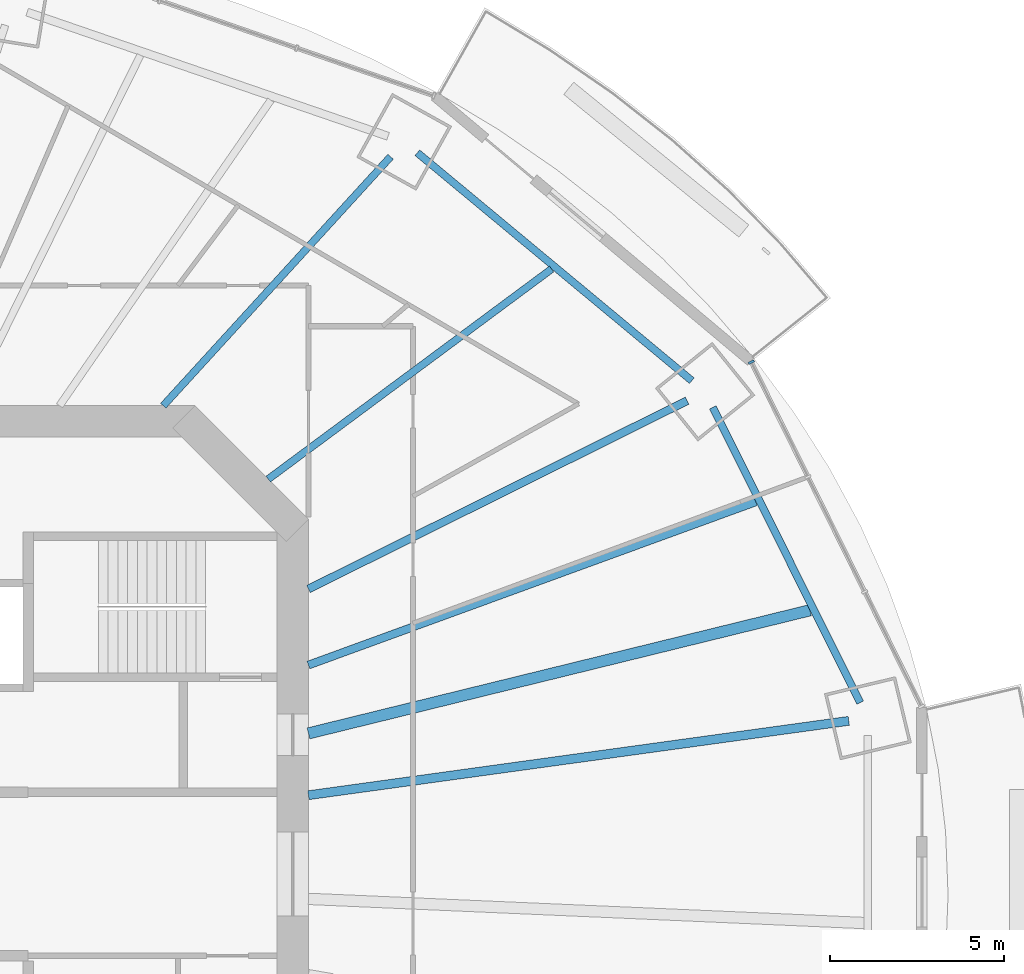
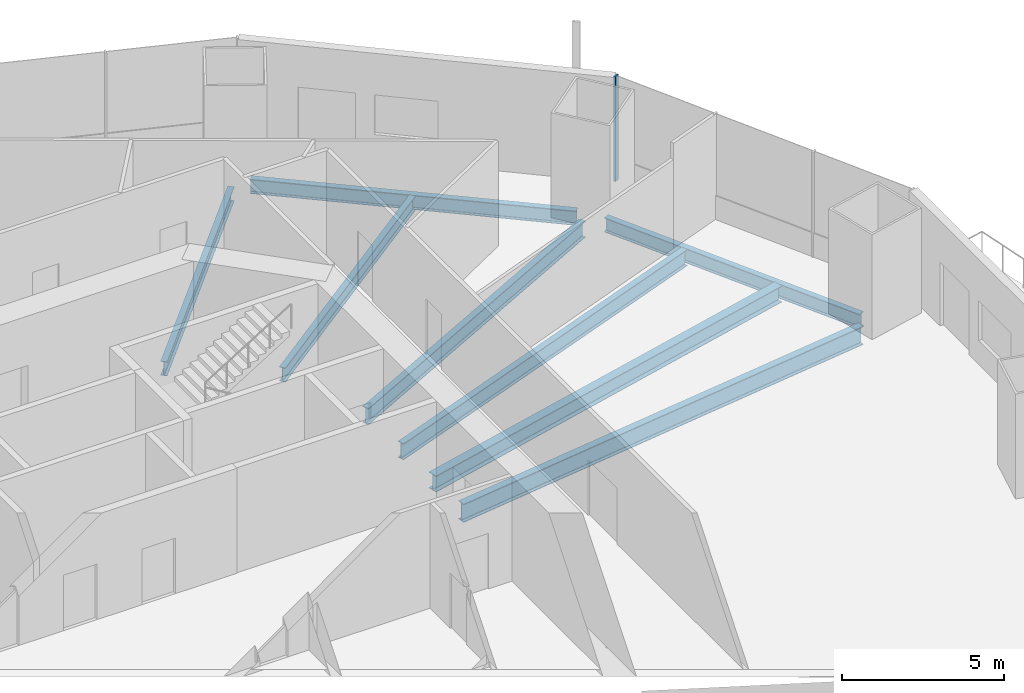
# One storey, part 8 of 21: 8 beams, 1 member, 1 element without a shape of its own.
"""IFC4 building model written with IfcOpenShell, lengths in metres."""

from ifc_helpers import new_model, si_unit, direction, frame, origin, origin_2d, place, context, subcontext, project, spatial, rectangle, i_section, extrude, material, material_profile, profile_set, type_object, element, aggregate, save


model = new_model("IFC4")

# Units and contexts
model_context = context("Model", 3, precision=1e-05, world=origin(), true_north=direction((0.0, 1.0)))
body_context = subcontext(model_context, "Body", "Model", "MODEL_VIEW")
ifc_project = project(units=[si_unit("LENGTHUNIT", "METRE"), si_unit("AREAUNIT", "SQUARE_METRE"), si_unit("VOLUMEUNIT", "CUBIC_METRE"), si_unit("PLANEANGLEUNIT", "RADIAN"), si_unit("MASSUNIT", "GRAM", prefix="KILO")], contexts=[model_context])

# Site, building, storey
site_placement = place(None, origin())
site = spatial("IfcSite", under=ifc_project, at=site_placement, CompositionType="ELEMENT")
building_placement = place(site_placement, origin())
building = spatial("IfcBuilding", under=site, at=building_placement, Name="Marenthal Gate Tower", CompositionType="ELEMENT")
storey_placement = place(building_placement, frame((0.0, 0.0, 169.35009765625)))
storey = spatial("IfcBuildingStorey", under=building, at=storey_placement, Name="L36", CompositionType="ELEMENT", Elevation=169.35009765625)

# Curtain wall, member
ifc_material_1 = material(Name="Aluminium and glass", Category="aluminium")
curtain_wall_type = type_object("IfcCurtainWallType", Name="Curtain wall typical mid", PredefinedType="NOTDEFINED", material=ifc_material_1)
curtain_wall_placement = place(storey_placement, origin())
curtain_wall = element("IfcCurtainWall", 1, at=curtain_wall_placement, inside=storey, type_object=curtain_wall_type, Name="Curtain wall L36 bay 1", PredefinedType="NOTDEFINED")
ifc_material_2 = material(Name="Aluminium", Category="aluminium")
ifc_material_profile_1 = material_profile(ifc_material_2, rectangle(XDim=0.179931640625, YDim=0.06005859375, at=origin_2d()), Name="60x180 aluminium mullion")
ifc_profile_set_1 = profile_set([ifc_material_profile_1], Name="Aluminium")
member_type = type_object("IfcMemberType", Name="Mullion 60x180 typical mid", PredefinedType="MULLION", material=ifc_profile_set_1)
member_placement = place(storey_placement, frame((29.167724609375, 14.702392578125, 0.0), z_axis=(0.0, 0.0, 1.0), x_axis=(-0.896608747182, -0.442823615536, 0.0)))
member = element("IfcMember", 2, at=member_placement, type_object=member_type, Name="Mullion L36 bay 1.4", PredefinedType="MULLION", context=body_context, shape_type="SweptSolid", body=[
    extrude(rectangle(XDim=0.179931640625, YDim=0.06005859375, at=origin_2d()), origin(), (0.0, 0.0, 1.0), 3.969970703125),
])
aggregate(curtain_wall, [member])

# Beams
ifc_material_3 = material(Name="Steel S355", Category="steel")
ifc_material_profile_2 = material_profile(ifc_material_3, i_section(OverallWidth=0.2099609375, OverallDepth=0.535888671875, WebThickness=0.010986328125, FlangeThickness=0.017333984375, FilletRadius=0.0126953125, at=origin_2d()), Name="W530X101")
ifc_profile_set_2 = profile_set([ifc_material_profile_2], Name="Steel S355")
beam_type_1 = type_object("IfcBeamType", Name="W530X101 beam", PredefinedType="BEAM", material=ifc_profile_set_2)
beam_1_placement = place(storey_placement, frame((18.809326171875, 20.600341796875, -0.447998046875), z_axis=(-0.674280125506, -0.738475668081, 0.0), x_axis=(0.738475668081, -0.674280125506, 0.0)))
element("IfcBeam", 3, at=beam_1_placement, inside=storey, type_object=beam_type_1, Name="BM-L36-03", PredefinedType="BEAM", context=body_context, shape_type="SweptSolid", body=[
    extrude(i_section(OverallWidth=0.2099609375, OverallDepth=0.535888671875, WebThickness=0.010986328125, FlangeThickness=0.017333984375, FilletRadius=0.0126953125, at=origin_2d()), origin(), (0.0, 0.0, 1.0), 9.6826171875),
])
beam_2_placement = place(storey_placement, frame((23.4326171875, 17.374755859375, -0.447998046875), z_axis=(-0.803267636897, -0.595618253174, 0.0), x_axis=(0.595618253174, -0.803267636897, 0.0)))
element("IfcBeam", 4, at=beam_2_placement, inside=storey, type_object=beam_type_1, Name="BM-L36-19", PredefinedType="BEAM", context=body_context, shape_type="SweptSolid", body=[
    extrude(i_section(OverallWidth=0.2099609375, OverallDepth=0.535888671875, WebThickness=0.010986328125, FlangeThickness=0.017333984375, FilletRadius=0.0126953125, at=origin_2d()), origin(), (0.0, 0.0, 1.0), 10.130126953125),
])
ifc_material_4 = material(Name="Steel S355", Category="steel")
ifc_material_profile_3 = material_profile(ifc_material_4, i_section(OverallWidth=0.2119140625, OverallDepth=0.5439453125, WebThickness=0.01318359375, FlangeThickness=0.021240234375, FilletRadius=0.0126953125, at=origin_2d()), Name="W530X123")
ifc_profile_set_3 = profile_set([ifc_material_profile_3], Name="Steel S355")
beam_type_2 = type_object("IfcBeamType", Name="W530X123 beam", PredefinedType="BEAM", material=ifc_profile_set_3)
beam_3_placement = place(storey_placement, frame((32.293701171875, 4.9228515625, -0.4521484375), z_axis=(-0.446296506962, 0.894885147868, 0.0), x_axis=(-0.894885147868, -0.446296506962, 0.0)))
element("IfcBeam", 5, at=beam_3_placement, inside=storey, type_object=beam_type_2, Name="BM-L36-41", PredefinedType="BEAM", context=body_context, shape_type="SweptSolid", body=[
    extrude(i_section(OverallWidth=0.2119140625, OverallDepth=0.5439453125, WebThickness=0.01318359375, FlangeThickness=0.021240234375, FilletRadius=0.0126953125, at=origin_2d()), origin(), (0.0, 0.0, 1.0), 9.4794921875),
])
beam_4_placement = place(storey_placement, frame((27.460205078125, 14.16748046875, -0.4521484375), z_axis=(-0.769269111774, 0.638924904563, 0.0), x_axis=(-0.638924904563, -0.769269111774, 0.0)))
element("IfcBeam", 6, at=beam_4_placement, inside=storey, type_object=beam_type_2, Name="BM-L36-42", PredefinedType="BEAM", context=body_context, shape_type="SweptSolid", body=[
    extrude(i_section(OverallWidth=0.2119140625, OverallDepth=0.5439453125, WebThickness=0.01318359375, FlangeThickness=0.021240234375, FilletRadius=0.0126953125, at=origin_2d()), origin(), (0.0, 0.0, 1.0), 10.24560546875),
])
ifc_material_5 = material(Name="Steel S355", Category="steel")
ifc_material_profile_4 = material_profile(ifc_material_5, i_section(OverallWidth=0.22900390625, OverallDepth=0.612060546875, WebThickness=0.011962890625, FlangeThickness=0.01953125, FilletRadius=0.0126953125, at=origin_2d()), Name="W610X125")
ifc_profile_set_4 = profile_set([ifc_material_profile_4], Name="Steel S355")
beam_type_3 = type_object("IfcBeamType", Name="W610X125 beam", PredefinedType="BEAM", material=ifc_profile_set_4)
beam_5_placement = place(storey_placement, frame((27.326171875, 13.595458984375, -0.486083984375), z_axis=(-0.895313726345, -0.445436113733, 0.0), x_axis=(0.445436113733, -0.895313726345, 0.0)))
element("IfcBeam", 7, at=beam_5_placement, inside=storey, type_object=beam_type_3, Name="BM-L36-02", PredefinedType="BEAM", context=body_context, shape_type="SweptSolid", body=[
    extrude(i_section(OverallWidth=0.22900390625, OverallDepth=0.612060546875, WebThickness=0.011962890625, FlangeThickness=0.01953125, FilletRadius=0.0126953125, at=origin_2d()), origin(), (0.0, 0.0, 1.0), 12.14794921875),
])
beam_6_placement = place(storey_placement, frame((29.29931640625, 10.689208984375, -0.486083984375), z_axis=(-0.939434876247, -0.34272746212, 0.0), x_axis=(0.34272746212, -0.939434876247, 0.0)))
element("IfcBeam", 8, at=beam_6_placement, inside=storey, type_object=beam_type_3, Name="BM-L36-18", PredefinedType="BEAM", context=body_context, shape_type="SweptSolid", body=[
    extrude(i_section(OverallWidth=0.22900390625, OverallDepth=0.612060546875, WebThickness=0.011962890625, FlangeThickness=0.01953125, FilletRadius=0.0126953125, at=origin_2d()), origin(), (0.0, 0.0, 1.0), 13.677734375),
])
ifc_material_6 = material(Name="Steel S355", Category="steel")
ifc_material_profile_5 = material_profile(ifc_material_6, i_section(OverallWidth=0.324951171875, OverallDepth=0.612060546875, WebThickness=0.0126953125, FlangeThickness=0.01904296875, FilletRadius=0.0126953125, at=origin_2d()), Name="W610X155")
ifc_profile_set_5 = profile_set([ifc_material_profile_5], Name="Steel S355")
beam_type_4 = type_object("IfcBeamType", Name="W610X155 beam", PredefinedType="BEAM", material=ifc_profile_set_5)
beam_7_placement = place(storey_placement, frame((30.852783203125, 7.574462890625, -0.486083984375), z_axis=(-0.971162172904, -0.238419868973, 0.0), x_axis=(0.238419868973, -0.971162172904, 0.0)))
element("IfcBeam", 9, at=beam_7_placement, inside=storey, type_object=beam_type_4, Name="BM-L36-17", PredefinedType="BEAM", context=body_context, shape_type="SweptSolid", body=[
    extrude(i_section(OverallWidth=0.324951171875, OverallDepth=0.612060546875, WebThickness=0.0126953125, FlangeThickness=0.01904296875, FilletRadius=0.0126953125, at=origin_2d()), origin(), (0.0, 0.0, 1.0), 14.83056640625),
])
ifc_material_7 = material(Name="Steel S355", Category="steel")
ifc_material_profile_6 = material_profile(ifc_material_7, i_section(OverallWidth=0.257080078125, OverallDepth=0.693115234375, WebThickness=0.014404296875, FlangeThickness=0.023681640625, FilletRadius=0.015380859375, at=origin_2d()), Name="W690X170")
ifc_profile_set_6 = profile_set([ifc_material_profile_6], Name="Steel S355")
beam_type_5 = type_object("IfcBeamType", Name="W690X170 beam", PredefinedType="BEAM", material=ifc_profile_set_6)
beam_8_placement = place(storey_placement, frame((31.96728515625, 4.39892578125, -0.526611328125), z_axis=(-0.990664873443, -0.136319875755, 0.0), x_axis=(0.136319875755, -0.990664873443, 0.0)))
element("IfcBeam", 10, at=beam_8_placement, inside=storey, type_object=beam_type_5, Name="BM-L36-01", PredefinedType="BEAM", context=body_context, shape_type="SweptSolid", body=[
    extrude(i_section(OverallWidth=0.257080078125, OverallDepth=0.693115234375, WebThickness=0.014404296875, FlangeThickness=0.023681640625, FilletRadius=0.015380859375, at=origin_2d()), origin(), (0.0, 0.0, 1.0), 15.66357421875),
])

save(model, "model.ifc")
